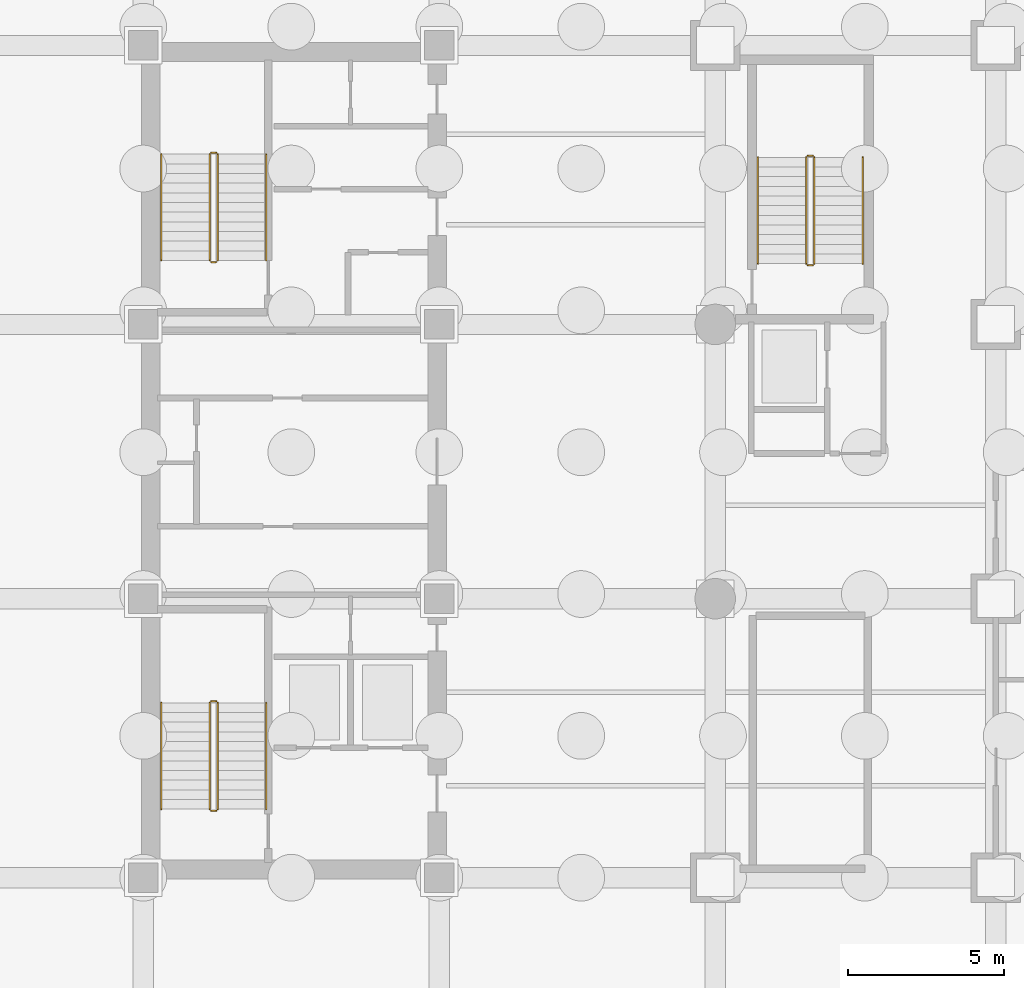
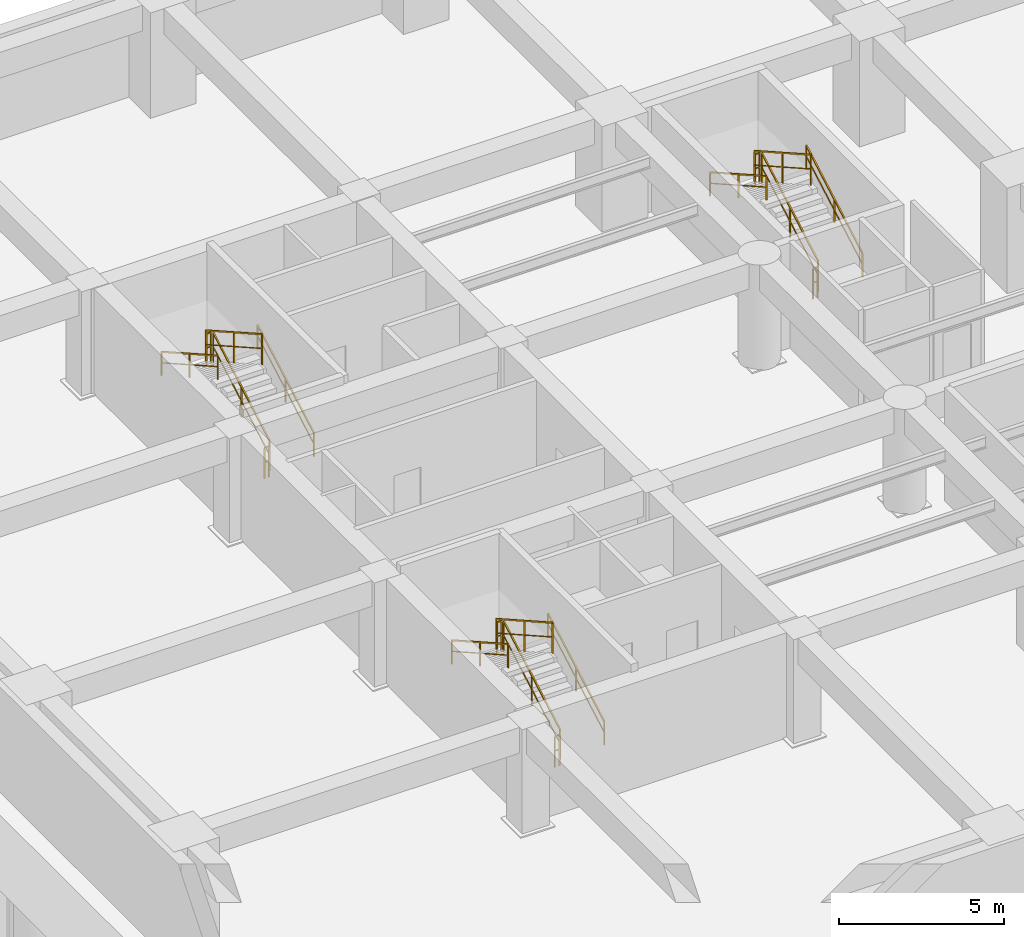
# One storey, part 8 of 9: 18 railings.
"""IFC4 building model written with IfcOpenShell, lengths in metres."""

from ifc_helpers import new_model, si_unit, direction, frame, origin, origin_2d, place, context, subcontext, project, spatial, rectangle, extrude, material, type_object, element, save


model = new_model("IFC4")

# Units and contexts
model_context = context("Model", 3, precision=1e-05, world=origin(), true_north=direction((0.0, 1.0)))
body_context = subcontext(model_context, "Body", "Model", "MODEL_VIEW")
ifc_project = project(units=[si_unit("LENGTHUNIT", "METRE"), si_unit("AREAUNIT", "SQUARE_METRE"), si_unit("VOLUMEUNIT", "CUBIC_METRE"), si_unit("PLANEANGLEUNIT", "RADIAN"), si_unit("MASSUNIT", "GRAM", prefix="KILO")], contexts=[model_context])

# Site, building, storey
site_placement = place(None, origin())
site = spatial("IfcSite", under=ifc_project, at=site_placement, CompositionType="ELEMENT")
building_placement = place(site_placement, origin())
building = spatial("IfcBuilding", under=site, at=building_placement, Name="Kundavana Baori Tower", CompositionType="ELEMENT")
storey_placement = place(building_placement, frame((0.0, 0.0, -8.39990234375)))
storey = spatial("IfcBuildingStorey", under=building, at=storey_placement, Name="B02", CompositionType="ELEMENT", Elevation=-8.39990234375)

# Railings
ifc_material_1 = material(Name="Architectural Patinated Bronze Metalwork")
railing_type_1 = type_object("IfcRailingType", Name="RL-GRD-1150", PredefinedType="GUARDRAIL", material=ifc_material_1)
railing_1_placement = place(storey_placement, frame((17.840087890625, 17.449951171875, 0.1748046875)))
element("IfcRailing", 1, at=railing_1_placement, inside=storey, type_object=railing_type_1, Name="B02 ST1 stair guard 1", PredefinedType="GUARDRAIL", context=body_context, shape_type="SweptSolid", body=[
    extrude(rectangle(XDim=0.048095703125, YDim=0.048095703125, at=origin_2d()), frame((0.0, 0.0, 1.1259765625), z_axis=(0.0, 0.870828613776, 0.491586742528), x_axis=(-1.0, 0.0, 0.0)), (0.0, 0.0, 1.0), 3.916015625),
    extrude(rectangle(XDim=0.03125, YDim=0.03125, at=origin_2d()), frame((0.0, 0.0, 0.597900390625), z_axis=(0.0, 0.870828613776, 0.491586742528), x_axis=(-1.0, 0.0, 0.0)), (0.0, 0.0, 1.0), 3.916015625),
    extrude(rectangle(XDim=0.0419921875, YDim=0.0419921875, at=origin_2d()), origin(), (0.0, 0.0, 1.0), 1.101806640625),
    extrude(rectangle(XDim=0.0419921875, YDim=0.0419921875, at=origin_2d()), frame((0.0, 1.705078125, 0.96240234375)), (0.0, 0.0, 1.0), 1.101806640625),
    extrude(rectangle(XDim=0.0419921875, YDim=0.0419921875, at=origin_2d()), frame((0.0, 3.41015625, 1.925048828125)), (0.0, 0.0, 1.0), 1.101806640625),
])
railing_2_placement = place(storey_placement, frame((17.7900390625, 20.909912109375, 2.099853515625)))
element("IfcRailing", 2, at=railing_2_placement, inside=storey, type_object=railing_type_1, Name="B02 ST1 stair guard 2", PredefinedType="GUARDRAIL", context=body_context, shape_type="SweptSolid", body=[
    extrude(rectangle(XDim=0.048095703125, YDim=0.048095703125, at=origin_2d()), frame((0.0, 0.0, 1.1259765625), z_axis=(-1.0, 0.0, 0.0), x_axis=(0.0, -1.0, 0.0)), (0.0, 0.0, 1.0), 0.16015625),
    extrude(rectangle(XDim=0.03125, YDim=0.03125, at=origin_2d()), frame((0.0, 0.0, 0.597900390625), z_axis=(-1.0, 0.0, 0.0), x_axis=(0.0, -1.0, 0.0)), (0.0, 0.0, 1.0), 0.16015625),
    extrude(rectangle(XDim=0.0419921875, YDim=0.0419921875, at=origin_2d()), origin(), (0.0, 0.0, 1.0), 1.101806640625),
    extrude(rectangle(XDim=0.0419921875, YDim=0.0419921875, at=origin_2d()), frame((-0.16015625, 0.0, 0.0)), (0.0, 0.0, 1.0), 1.101806640625),
])
railing_3_placement = place(storey_placement, frame((17.580078125, 20.860107421875, 2.27490234375)))
element("IfcRailing", 3, at=railing_3_placement, inside=storey, type_object=railing_type_1, Name="B02 ST1 stair guard 3", PredefinedType="GUARDRAIL", context=body_context, shape_type="SweptSolid", body=[
    extrude(rectangle(XDim=0.048095703125, YDim=0.048095703125, at=origin_2d()), frame((0.0, 0.0, 1.1259765625), z_axis=(0.0, -0.870828613776, 0.491586742528), x_axis=(1.0, 0.0, 0.0)), (0.0, 0.0, 1.0), 3.916015625),
    extrude(rectangle(XDim=0.03125, YDim=0.03125, at=origin_2d()), frame((0.0, 0.0, 0.597900390625), z_axis=(0.0, -0.870828613776, 0.491586742528), x_axis=(1.0, 0.0, 0.0)), (0.0, 0.0, 1.0), 3.916015625),
    extrude(rectangle(XDim=0.0419921875, YDim=0.0419921875, at=origin_2d()), origin(), (0.0, 0.0, 1.0), 1.101806640625),
    extrude(rectangle(XDim=0.0419921875, YDim=0.0419921875, at=origin_2d()), frame((0.0, -1.705078125, 0.96240234375)), (0.0, 0.0, 1.0), 1.101806640625),
    extrude(rectangle(XDim=0.0419921875, YDim=0.0419921875, at=origin_2d()), frame((0.0, -3.41015625, 1.925048828125)), (0.0, 0.0, 1.0), 1.101806640625),
])
railing_4_placement = place(storey_placement, frame((17.7900390625, 17.39990234375, 0.0)))
element("IfcRailing", 4, at=railing_4_placement, inside=storey, type_object=railing_type_1, Name="B02 ST1 stair guard 4", PredefinedType="GUARDRAIL", context=body_context, shape_type="SweptSolid", body=[
    extrude(rectangle(XDim=0.048095703125, YDim=0.048095703125, at=origin_2d()), frame((0.0, 0.0, 1.1259765625), z_axis=(-1.0, 0.0, 0.0), x_axis=(0.0, -1.0, 0.0)), (0.0, 0.0, 1.0), 0.16015625),
    extrude(rectangle(XDim=0.03125, YDim=0.03125, at=origin_2d()), frame((0.0, 0.0, 0.597900390625), z_axis=(-1.0, 0.0, 0.0), x_axis=(0.0, -1.0, 0.0)), (0.0, 0.0, 1.0), 0.16015625),
    extrude(rectangle(XDim=0.0419921875, YDim=0.0419921875, at=origin_2d()), origin(), (0.0, 0.0, 1.0), 1.101806640625),
    extrude(rectangle(XDim=0.0419921875, YDim=0.0419921875, at=origin_2d()), frame((-0.16015625, 0.0, 0.0)), (0.0, 0.0, 1.0), 1.101806640625),
])
railing_5_placement = place(storey_placement, frame((17.840087890625, 35.050048828125, 0.1748046875)))
element("IfcRailing", 5, at=railing_5_placement, inside=storey, type_object=railing_type_1, Name="B02 ST2 stair guard 1", PredefinedType="GUARDRAIL", context=body_context, shape_type="SweptSolid", body=[
    extrude(rectangle(XDim=0.048095703125, YDim=0.048095703125, at=origin_2d()), frame((0.0, 0.0, 1.1259765625), z_axis=(0.0, 0.87081354652, 0.491613432685), x_axis=(-1.0, 0.0, 0.0)), (0.0, 0.0, 1.0), 3.915771484375),
    extrude(rectangle(XDim=0.03125, YDim=0.03125, at=origin_2d()), frame((0.0, 0.0, 0.597900390625), z_axis=(0.0, 0.87081354652, 0.491613432685), x_axis=(-1.0, 0.0, 0.0)), (0.0, 0.0, 1.0), 3.915771484375),
    extrude(rectangle(XDim=0.0419921875, YDim=0.0419921875, at=origin_2d()), origin(), (0.0, 0.0, 1.0), 1.101806640625),
    extrude(rectangle(XDim=0.0419921875, YDim=0.0419921875, at=origin_2d()), frame((0.0, 1.705078125, 0.96240234375)), (0.0, 0.0, 1.0), 1.101806640625),
    extrude(rectangle(XDim=0.0419921875, YDim=0.0419921875, at=origin_2d()), frame((0.0, 3.409912109375, 1.925048828125)), (0.0, 0.0, 1.0), 1.101806640625),
])
railing_6_placement = place(storey_placement, frame((17.7900390625, 38.510009765625, 2.099853515625)))
element("IfcRailing", 6, at=railing_6_placement, inside=storey, type_object=railing_type_1, Name="B02 ST2 stair guard 2", PredefinedType="GUARDRAIL", context=body_context, shape_type="SweptSolid", body=[
    extrude(rectangle(XDim=0.048095703125, YDim=0.048095703125, at=origin_2d()), frame((0.0, 0.0, 1.1259765625), z_axis=(-1.0, 0.0, 0.0), x_axis=(0.0, -1.0, 0.0)), (0.0, 0.0, 1.0), 0.16015625),
    extrude(rectangle(XDim=0.03125, YDim=0.03125, at=origin_2d()), frame((0.0, 0.0, 0.597900390625), z_axis=(-1.0, 0.0, 0.0), x_axis=(0.0, -1.0, 0.0)), (0.0, 0.0, 1.0), 0.16015625),
    extrude(rectangle(XDim=0.0419921875, YDim=0.0419921875, at=origin_2d()), origin(), (0.0, 0.0, 1.0), 1.101806640625),
    extrude(rectangle(XDim=0.0419921875, YDim=0.0419921875, at=origin_2d()), frame((-0.16015625, 0.0, 0.0)), (0.0, 0.0, 1.0), 1.101806640625),
])
railing_7_placement = place(storey_placement, frame((17.580078125, 38.4599609375, 2.27490234375)))
element("IfcRailing", 7, at=railing_7_placement, inside=storey, type_object=railing_type_1, Name="B02 ST2 stair guard 3", PredefinedType="GUARDRAIL", context=body_context, shape_type="SweptSolid", body=[
    extrude(rectangle(XDim=0.048095703125, YDim=0.048095703125, at=origin_2d()), frame((0.0, 0.0, 1.1259765625), z_axis=(0.0, -0.87081354652, 0.491613432685), x_axis=(1.0, 0.0, 0.0)), (0.0, 0.0, 1.0), 3.915771484375),
    extrude(rectangle(XDim=0.03125, YDim=0.03125, at=origin_2d()), frame((0.0, 0.0, 0.597900390625), z_axis=(0.0, -0.87081354652, 0.491613432685), x_axis=(1.0, 0.0, 0.0)), (0.0, 0.0, 1.0), 3.915771484375),
    extrude(rectangle(XDim=0.0419921875, YDim=0.0419921875, at=origin_2d()), origin(), (0.0, 0.0, 1.0), 1.101806640625),
    extrude(rectangle(XDim=0.0419921875, YDim=0.0419921875, at=origin_2d()), frame((0.0, -1.705078125, 0.96240234375)), (0.0, 0.0, 1.0), 1.101806640625),
    extrude(rectangle(XDim=0.0419921875, YDim=0.0419921875, at=origin_2d()), frame((0.0, -3.409912109375, 1.925048828125)), (0.0, 0.0, 1.0), 1.101806640625),
])
railing_8_placement = place(storey_placement, frame((17.7900390625, 35.0, 0.0)))
element("IfcRailing", 8, at=railing_8_placement, inside=storey, type_object=railing_type_1, Name="B02 ST2 stair guard 4", PredefinedType="GUARDRAIL", context=body_context, shape_type="SweptSolid", body=[
    extrude(rectangle(XDim=0.048095703125, YDim=0.048095703125, at=origin_2d()), frame((0.0, 0.0, 1.1259765625), z_axis=(-1.0, 0.0, 0.0), x_axis=(0.0, -1.0, 0.0)), (0.0, 0.0, 1.0), 0.16015625),
    extrude(rectangle(XDim=0.03125, YDim=0.03125, at=origin_2d()), frame((0.0, 0.0, 0.597900390625), z_axis=(-1.0, 0.0, 0.0), x_axis=(0.0, -1.0, 0.0)), (0.0, 0.0, 1.0), 0.16015625),
    extrude(rectangle(XDim=0.0419921875, YDim=0.0419921875, at=origin_2d()), origin(), (0.0, 0.0, 1.0), 1.101806640625),
    extrude(rectangle(XDim=0.0419921875, YDim=0.0419921875, at=origin_2d()), frame((-0.16015625, 0.0, 0.0)), (0.0, 0.0, 1.0), 1.101806640625),
])
railing_9_placement = place(storey_placement, frame((36.97998046875, 34.949951171875, 0.1748046875)))
element("IfcRailing", 9, at=railing_9_placement, inside=storey, type_object=railing_type_1, Name="B02 ST3 stair guard 1", PredefinedType="GUARDRAIL", context=body_context, shape_type="SweptSolid", body=[
    extrude(rectangle(XDim=0.048095703125, YDim=0.048095703125, at=origin_2d()), frame((0.0, 0.0, 1.1259765625), z_axis=(0.0, 0.870828613776, 0.491586742528), x_axis=(-1.0, 0.0, 0.0)), (0.0, 0.0, 1.0), 3.916015625),
    extrude(rectangle(XDim=0.03125, YDim=0.03125, at=origin_2d()), frame((0.0, 0.0, 0.597900390625), z_axis=(0.0, 0.870828613776, 0.491586742528), x_axis=(-1.0, 0.0, 0.0)), (0.0, 0.0, 1.0), 3.916015625),
    extrude(rectangle(XDim=0.0419921875, YDim=0.0419921875, at=origin_2d()), origin(), (0.0, 0.0, 1.0), 1.101806640625),
    extrude(rectangle(XDim=0.0419921875, YDim=0.0419921875, at=origin_2d()), frame((0.0, 1.705078125, 0.96240234375)), (0.0, 0.0, 1.0), 1.101806640625),
    extrude(rectangle(XDim=0.0419921875, YDim=0.0419921875, at=origin_2d()), frame((0.0, 3.41015625, 1.925048828125)), (0.0, 0.0, 1.0), 1.101806640625),
])
railing_10_placement = place(storey_placement, frame((36.929931640625, 38.409912109375, 2.099853515625)))
element("IfcRailing", 10, at=railing_10_placement, inside=storey, type_object=railing_type_1, Name="B02 ST3 stair guard 2", PredefinedType="GUARDRAIL", context=body_context, shape_type="SweptSolid", body=[
    extrude(rectangle(XDim=0.048095703125, YDim=0.048095703125, at=origin_2d()), frame((0.0, 0.0, 1.1259765625), z_axis=(-1.0, 0.0, 0.0), x_axis=(0.0, -1.0, 0.0)), (0.0, 0.0, 1.0), 0.159912109375),
    extrude(rectangle(XDim=0.03125, YDim=0.03125, at=origin_2d()), frame((0.0, 0.0, 0.597900390625), z_axis=(-1.0, 0.0, 0.0), x_axis=(0.0, -1.0, 0.0)), (0.0, 0.0, 1.0), 0.159912109375),
    extrude(rectangle(XDim=0.0419921875, YDim=0.0419921875, at=origin_2d()), origin(), (0.0, 0.0, 1.0), 1.101806640625),
    extrude(rectangle(XDim=0.0419921875, YDim=0.0419921875, at=origin_2d()), frame((-0.159912109375, 0.0, 0.0)), (0.0, 0.0, 1.0), 1.101806640625),
])
railing_11_placement = place(storey_placement, frame((36.719970703125, 38.360107421875, 2.27490234375)))
element("IfcRailing", 11, at=railing_11_placement, inside=storey, type_object=railing_type_1, Name="B02 ST3 stair guard 3", PredefinedType="GUARDRAIL", context=body_context, shape_type="SweptSolid", body=[
    extrude(rectangle(XDim=0.048095703125, YDim=0.048095703125, at=origin_2d()), frame((0.0, 0.0, 1.1259765625), z_axis=(0.0, -0.870828613776, 0.491586742528), x_axis=(1.0, 0.0, 0.0)), (0.0, 0.0, 1.0), 3.916015625),
    extrude(rectangle(XDim=0.03125, YDim=0.03125, at=origin_2d()), frame((0.0, 0.0, 0.597900390625), z_axis=(0.0, -0.870828613776, 0.491586742528), x_axis=(1.0, 0.0, 0.0)), (0.0, 0.0, 1.0), 3.916015625),
    extrude(rectangle(XDim=0.0419921875, YDim=0.0419921875, at=origin_2d()), origin(), (0.0, 0.0, 1.0), 1.101806640625),
    extrude(rectangle(XDim=0.0419921875, YDim=0.0419921875, at=origin_2d()), frame((0.0, -1.705078125, 0.96240234375)), (0.0, 0.0, 1.0), 1.101806640625),
    extrude(rectangle(XDim=0.0419921875, YDim=0.0419921875, at=origin_2d()), frame((0.0, -3.41015625, 1.925048828125)), (0.0, 0.0, 1.0), 1.101806640625),
])
railing_12_placement = place(storey_placement, frame((36.929931640625, 34.89990234375, 0.0)))
element("IfcRailing", 12, at=railing_12_placement, inside=storey, type_object=railing_type_1, Name="B02 ST3 stair guard 4", PredefinedType="GUARDRAIL", context=body_context, shape_type="SweptSolid", body=[
    extrude(rectangle(XDim=0.048095703125, YDim=0.048095703125, at=origin_2d()), frame((0.0, 0.0, 1.1259765625), z_axis=(-1.0, 0.0, 0.0), x_axis=(0.0, -1.0, 0.0)), (0.0, 0.0, 1.0), 0.159912109375),
    extrude(rectangle(XDim=0.03125, YDim=0.03125, at=origin_2d()), frame((0.0, 0.0, 0.597900390625), z_axis=(-1.0, 0.0, 0.0), x_axis=(0.0, -1.0, 0.0)), (0.0, 0.0, 1.0), 0.159912109375),
    extrude(rectangle(XDim=0.0419921875, YDim=0.0419921875, at=origin_2d()), origin(), (0.0, 0.0, 1.0), 1.101806640625),
    extrude(rectangle(XDim=0.0419921875, YDim=0.0419921875, at=origin_2d()), frame((-0.159912109375, 0.0, 0.0)), (0.0, 0.0, 1.0), 1.101806640625),
])
ifc_material_2 = material(Name="Architectural Patinated Bronze Metalwork")
railing_type_2 = type_object("IfcRailingType", Name="RL-HND-920", PredefinedType="HANDRAIL", material=ifc_material_2)
railing_13_placement = place(storey_placement, frame((19.389892578125, 17.449951171875, 0.1748046875)))
element("IfcRailing", 13, at=railing_13_placement, inside=storey, type_object=railing_type_2, Name="B02 ST1 stair handrail 1", PredefinedType="HANDRAIL", context=body_context, shape_type="SweptSolid", body=[
    extrude(rectangle(XDim=0.048095703125, YDim=0.048095703125, at=origin_2d()), frame((0.0, 0.0, 0.8759765625), z_axis=(0.0, 0.870828613776, 0.491586742528), x_axis=(-1.0, 0.0, 0.0)), (0.0, 0.0, 1.0), 3.916015625),
    extrude(rectangle(XDim=0.03125, YDim=0.03125, at=origin_2d()), frame((0.0, 0.0, 0.468017578125), z_axis=(0.0, 0.870828613776, 0.491586742528), x_axis=(-1.0, 0.0, 0.0)), (0.0, 0.0, 1.0), 3.916015625),
    extrude(rectangle(XDim=0.0419921875, YDim=0.0419921875, at=origin_2d()), origin(), (0.0, 0.0, 1.0), 0.851806640625),
    extrude(rectangle(XDim=0.0419921875, YDim=0.0419921875, at=origin_2d()), frame((0.0, 1.705078125, 0.96240234375)), (0.0, 0.0, 1.0), 0.851806640625),
    extrude(rectangle(XDim=0.0419921875, YDim=0.0419921875, at=origin_2d()), frame((0.0, 3.41015625, 1.925048828125)), (0.0, 0.0, 1.0), 0.851806640625),
])
railing_14_placement = place(storey_placement, frame((16.030029296875, 20.860107421875, 2.27490234375)))
element("IfcRailing", 14, at=railing_14_placement, inside=storey, type_object=railing_type_2, Name="B02 ST1 stair handrail 2", PredefinedType="HANDRAIL", context=body_context, shape_type="SweptSolid", body=[
    extrude(rectangle(XDim=0.048095703125, YDim=0.048095703125, at=origin_2d()), frame((0.0, 0.0, 0.8759765625), z_axis=(0.0, -0.870828613776, 0.491586742528), x_axis=(1.0, 0.0, 0.0)), (0.0, 0.0, 1.0), 3.916015625),
    extrude(rectangle(XDim=0.03125, YDim=0.03125, at=origin_2d()), frame((0.0, 0.0, 0.468017578125), z_axis=(0.0, -0.870828613776, 0.491586742528), x_axis=(1.0, 0.0, 0.0)), (0.0, 0.0, 1.0), 3.916015625),
    extrude(rectangle(XDim=0.0419921875, YDim=0.0419921875, at=origin_2d()), origin(), (0.0, 0.0, 1.0), 0.851806640625),
    extrude(rectangle(XDim=0.0419921875, YDim=0.0419921875, at=origin_2d()), frame((0.0, -1.705078125, 0.96240234375)), (0.0, 0.0, 1.0), 0.851806640625),
    extrude(rectangle(XDim=0.0419921875, YDim=0.0419921875, at=origin_2d()), frame((0.0, -3.41015625, 1.925048828125)), (0.0, 0.0, 1.0), 0.851806640625),
])
railing_15_placement = place(storey_placement, frame((19.389892578125, 35.050048828125, 0.1748046875)))
element("IfcRailing", 15, at=railing_15_placement, inside=storey, type_object=railing_type_2, Name="B02 ST2 stair handrail 1", PredefinedType="HANDRAIL", context=body_context, shape_type="SweptSolid", body=[
    extrude(rectangle(XDim=0.048095703125, YDim=0.048095703125, at=origin_2d()), frame((0.0, 0.0, 0.8759765625), z_axis=(0.0, 0.87081354652, 0.491613432685), x_axis=(-1.0, 0.0, 0.0)), (0.0, 0.0, 1.0), 3.915771484375),
    extrude(rectangle(XDim=0.03125, YDim=0.03125, at=origin_2d()), frame((0.0, 0.0, 0.468017578125), z_axis=(0.0, 0.87081354652, 0.491613432685), x_axis=(-1.0, 0.0, 0.0)), (0.0, 0.0, 1.0), 3.915771484375),
    extrude(rectangle(XDim=0.0419921875, YDim=0.0419921875, at=origin_2d()), origin(), (0.0, 0.0, 1.0), 0.851806640625),
    extrude(rectangle(XDim=0.0419921875, YDim=0.0419921875, at=origin_2d()), frame((0.0, 1.705078125, 0.96240234375)), (0.0, 0.0, 1.0), 0.851806640625),
    extrude(rectangle(XDim=0.0419921875, YDim=0.0419921875, at=origin_2d()), frame((0.0, 3.409912109375, 1.925048828125)), (0.0, 0.0, 1.0), 0.851806640625),
])
railing_16_placement = place(storey_placement, frame((16.030029296875, 38.4599609375, 2.27490234375)))
element("IfcRailing", 16, at=railing_16_placement, inside=storey, type_object=railing_type_2, Name="B02 ST2 stair handrail 2", PredefinedType="HANDRAIL", context=body_context, shape_type="SweptSolid", body=[
    extrude(rectangle(XDim=0.048095703125, YDim=0.048095703125, at=origin_2d()), frame((0.0, 0.0, 0.8759765625), z_axis=(0.0, -0.87081354652, 0.491613432685), x_axis=(1.0, 0.0, 0.0)), (0.0, 0.0, 1.0), 3.915771484375),
    extrude(rectangle(XDim=0.03125, YDim=0.03125, at=origin_2d()), frame((0.0, 0.0, 0.468017578125), z_axis=(0.0, -0.87081354652, 0.491613432685), x_axis=(1.0, 0.0, 0.0)), (0.0, 0.0, 1.0), 3.915771484375),
    extrude(rectangle(XDim=0.0419921875, YDim=0.0419921875, at=origin_2d()), origin(), (0.0, 0.0, 1.0), 0.851806640625),
    extrude(rectangle(XDim=0.0419921875, YDim=0.0419921875, at=origin_2d()), frame((0.0, -1.705078125, 0.96240234375)), (0.0, 0.0, 1.0), 0.851806640625),
    extrude(rectangle(XDim=0.0419921875, YDim=0.0419921875, at=origin_2d()), frame((0.0, -3.409912109375, 1.925048828125)), (0.0, 0.0, 1.0), 0.851806640625),
])
railing_17_placement = place(storey_placement, frame((38.530029296875, 34.949951171875, 0.1748046875)))
element("IfcRailing", 17, at=railing_17_placement, inside=storey, type_object=railing_type_2, Name="B02 ST3 stair handrail 1", PredefinedType="HANDRAIL", context=body_context, shape_type="SweptSolid", body=[
    extrude(rectangle(XDim=0.048095703125, YDim=0.048095703125, at=origin_2d()), frame((0.0, 0.0, 0.8759765625), z_axis=(0.0, 0.870828613776, 0.491586742528), x_axis=(-1.0, 0.0, 0.0)), (0.0, 0.0, 1.0), 3.916015625),
    extrude(rectangle(XDim=0.03125, YDim=0.03125, at=origin_2d()), frame((0.0, 0.0, 0.468017578125), z_axis=(0.0, 0.870828613776, 0.491586742528), x_axis=(-1.0, 0.0, 0.0)), (0.0, 0.0, 1.0), 3.916015625),
    extrude(rectangle(XDim=0.0419921875, YDim=0.0419921875, at=origin_2d()), origin(), (0.0, 0.0, 1.0), 0.851806640625),
    extrude(rectangle(XDim=0.0419921875, YDim=0.0419921875, at=origin_2d()), frame((0.0, 1.705078125, 0.96240234375)), (0.0, 0.0, 1.0), 0.851806640625),
    extrude(rectangle(XDim=0.0419921875, YDim=0.0419921875, at=origin_2d()), frame((0.0, 3.41015625, 1.925048828125)), (0.0, 0.0, 1.0), 0.851806640625),
])
railing_18_placement = place(storey_placement, frame((35.169921875, 38.360107421875, 2.27490234375)))
element("IfcRailing", 18, at=railing_18_placement, inside=storey, type_object=railing_type_2, Name="B02 ST3 stair handrail 2", PredefinedType="HANDRAIL", context=body_context, shape_type="SweptSolid", body=[
    extrude(rectangle(XDim=0.048095703125, YDim=0.048095703125, at=origin_2d()), frame((0.0, 0.0, 0.8759765625), z_axis=(0.0, -0.870828613776, 0.491586742528), x_axis=(1.0, 0.0, 0.0)), (0.0, 0.0, 1.0), 3.916015625),
    extrude(rectangle(XDim=0.03125, YDim=0.03125, at=origin_2d()), frame((0.0, 0.0, 0.468017578125), z_axis=(0.0, -0.870828613776, 0.491586742528), x_axis=(1.0, 0.0, 0.0)), (0.0, 0.0, 1.0), 3.916015625),
    extrude(rectangle(XDim=0.0419921875, YDim=0.0419921875, at=origin_2d()), origin(), (0.0, 0.0, 1.0), 0.851806640625),
    extrude(rectangle(XDim=0.0419921875, YDim=0.0419921875, at=origin_2d()), frame((0.0, -1.705078125, 0.96240234375)), (0.0, 0.0, 1.0), 0.851806640625),
    extrude(rectangle(XDim=0.0419921875, YDim=0.0419921875, at=origin_2d()), frame((0.0, -3.41015625, 1.925048828125)), (0.0, 0.0, 1.0), 0.851806640625),
])

save(model, "model.ifc")
